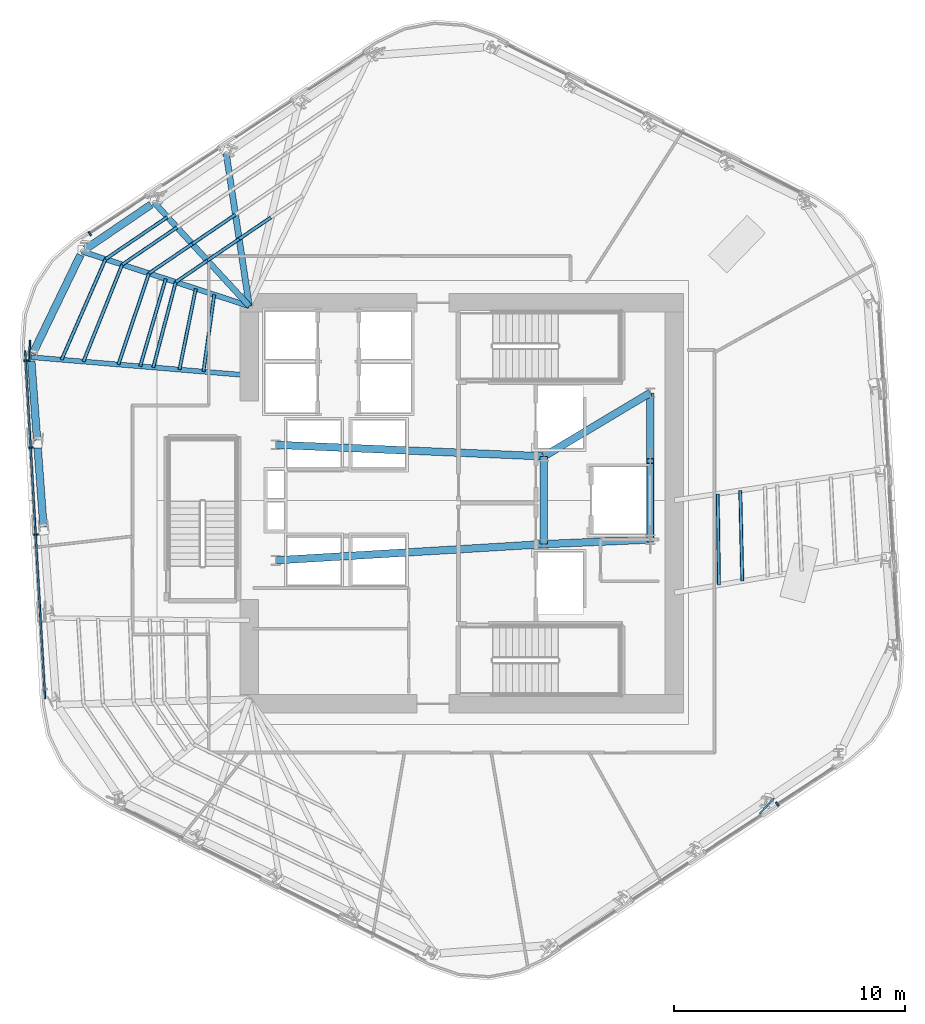
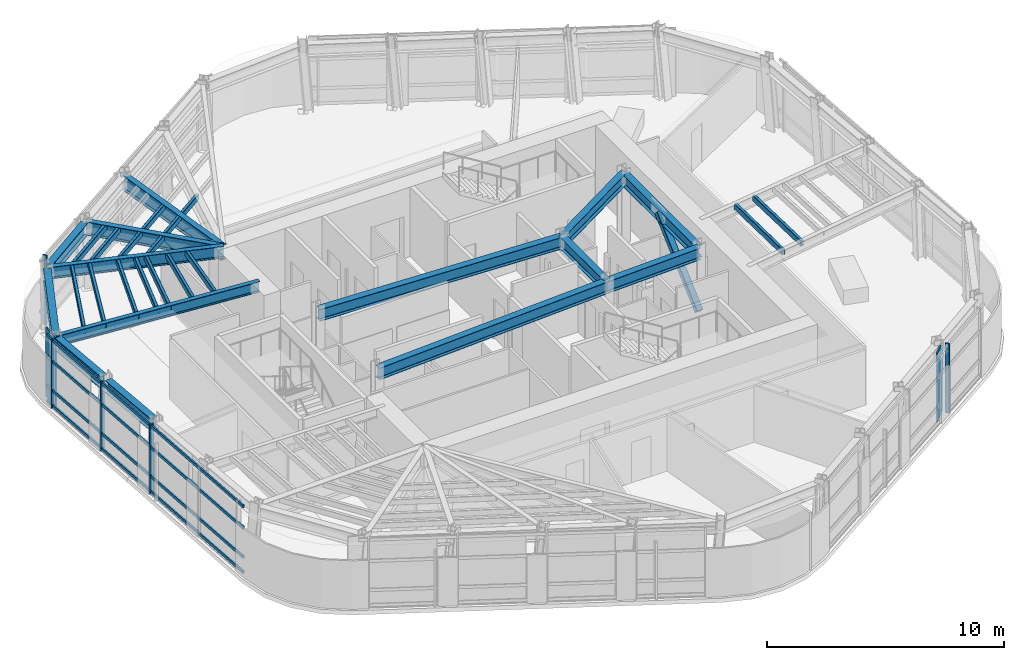
# One storey, part 4 of 15: 28 members, 14 beams, 3 elements without a shape of their own.
"""IFC4 building model written with IfcOpenShell, lengths in metres."""

from ifc_helpers import new_model, si_unit, direction, frame, origin, origin_2d, place, context, subcontext, project, spatial, rectangle, hollow_rectangle, i_section, extrude, material, layer, layer_set, material_profile, profile_set, type_object, element, aggregate, save


model = new_model("IFC4")

# Units and contexts
model_context = context("Model", 3, precision=1e-05, world=origin(), true_north=direction((0.0, 1.0)))
body_context = subcontext(model_context, "Body", "Model", "MODEL_VIEW")
ifc_project = project(units=[si_unit("LENGTHUNIT", "METRE"), si_unit("AREAUNIT", "SQUARE_METRE"), si_unit("VOLUMEUNIT", "CUBIC_METRE"), si_unit("PLANEANGLEUNIT", "RADIAN"), si_unit("MASSUNIT", "GRAM", prefix="KILO")], contexts=[model_context])

# Site, building, storey
site_placement = place(None, origin())
site = spatial("IfcSite", under=ifc_project, at=site_placement, CompositionType="ELEMENT")
building_placement = place(site_placement, origin())
building = spatial("IfcBuilding", under=site, at=building_placement, Name="Valkerne Bourse Tower", CompositionType="ELEMENT")
storey_placement = place(building_placement, frame((0.0, 0.0, 166.60009765625)))
storey = spatial("IfcBuildingStorey", under=building, at=storey_placement, Name="L42", CompositionType="ELEMENT", Elevation=166.60009765625)

# Beams
ifc_material_1 = material(Name="Steel ASTM A992", Category="steel")
ifc_material_profile_1 = material_profile(ifc_material_1, i_section(OverallWidth=0.2138671875, OverallDepth=0.548583984375, WebThickness=0.0146484375, FlangeThickness=0.023681640625, FilletRadius=0.017822265625, at=origin_2d()), Name="W21X93")
ifc_profile_set_1 = profile_set([ifc_material_profile_1], Name="Steel ASTM A992")
beam_type_1 = type_object("IfcBeamType", Name="BM-W21X93", PredefinedType="BEAM", material=ifc_profile_set_1)
beam_1_placement = place(storey_placement, frame((28.153076171875, 33.193115234375, 3.3056640625), z_axis=(0.996493524759, -0.083669917611, 0.0), x_axis=(0.083669917611, 0.996493524759, 0.0)))
element("IfcBeam", 1, at=beam_1_placement, inside=storey, type_object=beam_type_1, Name="L42 Radial Composite Floor Beam 10", PredefinedType="BEAM", context=body_context, shape_type="SweptSolid", body=[
    extrude(i_section(OverallWidth=0.2138671875, OverallDepth=0.548583984375, WebThickness=0.0146484375, FlangeThickness=0.023681640625, FilletRadius=0.017822265625, at=origin_2d()), origin(), (0.0, 0.0, 1.0), 9.480224609375),
])
ifc_material_profile_2 = material_profile(ifc_material_1, i_section(OverallWidth=0.3251953125, OverallDepth=0.612060546875, WebThickness=0.0126953125, FlangeThickness=0.01904296875, FilletRadius=0.020263671875, at=origin_2d()), Name="W24X104")
ifc_profile_set_2 = profile_set([ifc_material_profile_2], Name="Steel ASTM A992")
beam_type_2 = type_object("IfcBeamType", Name="BM-W24X104", PredefinedType="BEAM", material=ifc_profile_set_2)
beam_2_placement = place(storey_placement, frame((50.35009765625, 25.10009765625, 3.27392578125), z_axis=(0.0, 1.0, 0.0), x_axis=(-1.0, 0.0, 0.0)))
element("IfcBeam", 2, at=beam_2_placement, inside=storey, type_object=beam_type_2, Name="L42 Core Frame Girder CG-CE", PredefinedType="BEAM", context=body_context, shape_type="SweptSolid", body=[
    extrude(i_section(OverallWidth=0.3251953125, OverallDepth=0.612060546875, WebThickness=0.0126953125, FlangeThickness=0.01904296875, FilletRadius=0.020263671875, at=origin_2d()), origin(), (0.0, 0.0, 1.0), 3.7998046875),
])
beam_3_placement = place(storey_placement, frame((50.35009765625, 25.10009765625, 3.27392578125), z_axis=(0.999056558506, 0.043428019819, 0.0), x_axis=(-0.043428019819, 0.999056558506, 0.0)))
element("IfcBeam", 3, at=beam_3_placement, inside=storey, type_object=beam_type_2, Name="L42 Core Frame Girder CG-SE", PredefinedType="BEAM", context=body_context, shape_type="SweptSolid", body=[
    extrude(i_section(OverallWidth=0.3251953125, OverallDepth=0.612060546875, WebThickness=0.0126953125, FlangeThickness=0.01904296875, FilletRadius=0.020263671875, at=origin_2d()), origin(), (0.0, 0.0, 1.0), 4.604248046875),
])
beam_4_placement = place(storey_placement, frame((50.35009765625, 28.89990234375, 3.27392578125), z_axis=(0.858307823492, 0.513135148019, 0.0), x_axis=(-0.513135148019, 0.858307823492, 0.0)))
element("IfcBeam", 4, at=beam_4_placement, inside=storey, type_object=beam_type_2, Name="L42 Core Frame Girder CG-NE", PredefinedType="BEAM", context=body_context, shape_type="SweptSolid", body=[
    extrude(i_section(OverallWidth=0.3251953125, OverallDepth=0.612060546875, WebThickness=0.0126953125, FlangeThickness=0.01904296875, FilletRadius=0.020263671875, at=origin_2d()), origin(), (0.0, 0.0, 1.0), 5.359130859375),
])
beam_5_placement = place(storey_placement, frame((54.949951171875, 25.300048828125, 3.27392578125), z_axis=(0.0, 1.0, 0.0), x_axis=(-1.0, 0.0, 0.0)))
element("IfcBeam", 5, at=beam_5_placement, inside=storey, type_object=beam_type_2, Name="L42 Core Frame Girder CG-EE", PredefinedType="BEAM", context=body_context, shape_type="SweptSolid", body=[
    extrude(i_section(OverallWidth=0.3251953125, OverallDepth=0.612060546875, WebThickness=0.0126953125, FlangeThickness=0.01904296875, FilletRadius=0.020263671875, at=origin_2d()), origin(), (0.0, 0.0, 1.0), 6.349853515625),
])
beam_6_placement = place(storey_placement, frame((38.75, 24.39990234375, 3.27392578125), z_axis=(0.998183228389, 0.060251494276, 0.0), x_axis=(-0.060251494276, 0.998183228389, 0.0)))
element("IfcBeam", 6, at=beam_6_placement, inside=storey, type_object=beam_type_2, Name="L42 Core Frame Girder CG-SW", PredefinedType="BEAM", context=body_context, shape_type="SweptSolid", body=[
    extrude(i_section(OverallWidth=0.3251953125, OverallDepth=0.612060546875, WebThickness=0.0126953125, FlangeThickness=0.01904296875, FilletRadius=0.020263671875, at=origin_2d()), origin(), (0.0, 0.0, 1.0), 11.62109375),
])
beam_7_placement = place(storey_placement, frame((38.75, 29.39990234375, 3.27392578125), z_axis=(0.999072354402, -0.043063101019, 0.0), x_axis=(0.043063101019, 0.999072354402, 0.0)))
element("IfcBeam", 7, at=beam_7_placement, inside=storey, type_object=beam_type_2, Name="L42 Core Frame Girder CG-NW", PredefinedType="BEAM", context=body_context, shape_type="SweptSolid", body=[
    extrude(i_section(OverallWidth=0.3251953125, OverallDepth=0.612060546875, WebThickness=0.0126953125, FlangeThickness=0.01904296875, FilletRadius=0.020263671875, at=origin_2d()), origin(), (0.0, 0.0, 1.0), 11.61083984375),
])
ifc_material_profile_3 = material_profile(ifc_material_1, i_section(OverallWidth=0.32763671875, OverallDepth=0.62744140625, WebThickness=0.0166015625, FlangeThickness=0.027587890625, FilletRadius=0.020263671875, at=origin_2d()), Name="W24X146")
ifc_profile_set_3 = profile_set([ifc_material_profile_3], Name="Steel ASTM A992")
beam_type_3 = type_object("IfcBeamType", Name="BM-W24X146", PredefinedType="SPANDREL", material=ifc_profile_set_3)
beam_8_placement = place(storey_placement, frame((33.342529296875, 39.790771484375, 3.26611328125), z_axis=(-0.827102479964, -0.562051143258, 0.0), x_axis=(0.562051143258, -0.827102479964, 0.0)))
element("IfcBeam", 8, at=beam_8_placement, inside=storey, type_object=beam_type_3, Name="L42 Hexagonal Spandrel Ring Beam 08", PredefinedType="SPANDREL", context=body_context, shape_type="SweptSolid", body=[
    extrude(i_section(OverallWidth=0.32763671875, OverallDepth=0.62744140625, WebThickness=0.0166015625, FlangeThickness=0.027587890625, FilletRadius=0.020263671875, at=origin_2d()), origin(), (0.0, 0.0, 1.0), 3.43115234375),
])
beam_9_placement = place(storey_placement, frame((30.2900390625, 37.613525390625, 3.26611328125), z_axis=(-0.435244512137, -0.900312287295, 0.0), x_axis=(0.900312287295, -0.435244512137, 0.0)))
element("IfcBeam", 9, at=beam_9_placement, inside=storey, type_object=beam_type_3, Name="L42 Hexagonal Spandrel Ring Beam 09", PredefinedType="SPANDREL", context=body_context, shape_type="SweptSolid", body=[
    extrude(i_section(OverallWidth=0.32763671875, OverallDepth=0.62744140625, WebThickness=0.0166015625, FlangeThickness=0.027587890625, FilletRadius=0.020263671875, at=origin_2d()), origin(), (0.0, 0.0, 1.0), 4.73974609375),
])
for number, where, z_axis, x_axis, name in (
    (10, (28.16552734375, 33.0234375, 3.26611328125), (0.07321903857, -0.997315883956, 0.0), (0.997315883956, 0.07321903857, 0.0), "L42 Hexagonal Spandrel Ring Beam 10"),
    (11, (28.44189453125, 29.2626953125, 3.26611328125), (0.07321903857, -0.997315883956, 0.0), (0.997315883956, 0.07321903857, 0.0), "L42 Hexagonal Spandrel Ring Beam 11"),
):
    element("IfcBeam", number, at=place(storey_placement, frame(where, z_axis=z_axis, x_axis=x_axis)), inside=storey, type_object=beam_type_3, Name=name, PredefinedType="SPANDREL", context=body_context, shape_type="SweptSolid", body=[
        extrude(i_section(OverallWidth=0.32763671875, OverallDepth=0.62744140625, WebThickness=0.0166015625, FlangeThickness=0.027587890625, FilletRadius=0.020263671875, at=origin_2d()), origin(), (0.0, 0.0, 1.0), 3.43115234375),
    ])
ifc_material_profile_4 = material_profile(ifc_material_1, i_section(OverallWidth=0.228271484375, OverallDepth=0.607177734375, WebThickness=0.01123046875, FlangeThickness=0.017333984375, FilletRadius=0.017822265625, at=origin_2d()), Name="W24X76")
ifc_profile_set_4 = profile_set([ifc_material_profile_4], Name="Steel ASTM A992")
beam_type_4 = type_object("IfcBeamType", Name="BM-W24X76", PredefinedType="JOIST", material=ifc_profile_set_4)
beam_10_placement = place(storey_placement, frame((30.364013671875, 37.7666015625, 3.2763671875), z_axis=(0.950454334977, -0.310864210104, 0.0), x_axis=(0.310864210104, 0.950454334977, 0.0)))
element("IfcBeam", 12, at=beam_10_placement, inside=storey, type_object=beam_type_4, Name="L42 Radial Composite Floor Beam 09", PredefinedType="JOIST", context=body_context, shape_type="SweptSolid", body=[
    extrude(i_section(OverallWidth=0.228271484375, OverallDepth=0.607177734375, WebThickness=0.01123046875, FlangeThickness=0.017333984375, FilletRadius=0.017822265625, at=origin_2d()), origin(), (0.0, 0.0, 1.0), 7.61328125),
])
ifc_material_profile_5 = material_profile(ifc_material_1, i_section(OverallWidth=0.255859375, OverallDepth=0.693359375, WebThickness=0.014404296875, FlangeThickness=0.023681640625, FilletRadius=0.02294921875, at=origin_2d()), Name="W27X114")
ifc_profile_set_5 = profile_set([ifc_material_profile_5], Name="Steel ASTM A992")
beam_type_5 = type_object("IfcBeamType", Name="BM-W27X114", PredefinedType="BEAM", material=ifc_profile_set_5)
beam_11_placement = place(storey_placement, frame((33.483154296875, 39.88623046875, 3.233154296875), z_axis=(0.676123967467, -0.73678788034, 0.0), x_axis=(0.73678788034, 0.676123967467, 0.0)))
element("IfcBeam", 13, at=beam_11_placement, inside=storey, type_object=beam_type_5, Name="L42 Radial Composite Floor Beam 08", PredefinedType="BEAM", context=body_context, shape_type="SweptSolid", body=[
    extrude(i_section(OverallWidth=0.255859375, OverallDepth=0.693359375, WebThickness=0.014404296875, FlangeThickness=0.023681640625, FilletRadius=0.02294921875, at=origin_2d()), origin(), (0.0, 0.0, 1.0), 6.089111328125),
])
ifc_material_profile_6 = material_profile(ifc_material_1, i_section(OverallWidth=0.26806640625, OverallDepth=0.76953125, WebThickness=0.015625, FlangeThickness=0.025390625, FilletRadius=0.025390625, at=origin_2d()), Name="W30X132")
ifc_profile_set_6 = profile_set([ifc_material_profile_6], Name="Steel ASTM A992")
beam_type_6 = type_object("IfcBeamType", Name="BM-W30X132", PredefinedType="BEAM", material=ifc_profile_set_6)
beam_12_placement = place(storey_placement, frame((36.60205078125, 42.005859375, 3.195068359375), z_axis=(0.149387516946, -0.9887787264, 0.0), x_axis=(0.9887787264, 0.149387516946, 0.0)))
element("IfcBeam", 14, at=beam_12_placement, inside=storey, type_object=beam_type_6, Name="L42 Radial Composite Floor Beam 07", PredefinedType="BEAM", context=body_context, shape_type="SweptSolid", body=[
    extrude(i_section(OverallWidth=0.26806640625, OverallDepth=0.76953125, WebThickness=0.015625, FlangeThickness=0.025390625, FilletRadius=0.025390625, at=origin_2d()), origin(), (0.0, 0.0, 1.0), 6.680908203125),
])

# Curtain wall, member
ifc_material_2 = material(Name="Aluminium AA 6063-T6", Category="aluminium")
ifc_layer = layer(ifc_material_2, 0.235107421875)
ifc_layer_set = layer_set([ifc_layer], Name="Aluminium AA 6063-T6")
curtain_wall_type = type_object("IfcCurtainWallType", Name="CW-03", PredefinedType="NOTDEFINED", material=ifc_layer_set)
curtain_wall_1_placement = place(storey_placement, origin())
curtain_wall_1 = element("IfcCurtainWall", 15, at=curtain_wall_1_placement, inside=storey, type_object=curtain_wall_type, Name="L42 Hexagonal Stick Curtain Wall Face 2", PredefinedType="NOTDEFINED")
ifc_material_profile_7 = material_profile(ifc_material_2, rectangle(XDim=0.074951171875, YDim=0.199951171875, at=origin_2d()), Name="CWM-75X200")
ifc_profile_set_7 = profile_set([ifc_material_profile_7], Name="Aluminium AA 6063-T6")
member_type_1 = type_object("IfcMemberType", Name="CW-MUL-220X75", PredefinedType="MULLION", material=ifc_profile_set_7)
member_1_placement = place(storey_placement, frame((30.69970703125, 38.538330078125, 0.0), z_axis=(0.0, 0.0, 1.0), x_axis=(-0.835800745182, -0.549032890048, 0.0)))
member_1 = element("IfcMember", 16, at=member_1_placement, type_object=member_type_1, Name="CW-L42-F2 Jamb Mullion 03B", PredefinedType="MULLION", context=body_context, shape_type="SweptSolid", body=[
    extrude(rectangle(XDim=0.074951171875, YDim=0.199951171875, at=origin_2d()), origin(), (0.0, 0.0, 1.0), 3.579833984375),
])
aggregate(curtain_wall_1, [member_1])

# Curtain wall, members
curtain_wall_2_placement = place(storey_placement, origin())
curtain_wall_2 = element("IfcCurtainWall", 17, at=curtain_wall_2_placement, inside=storey, type_object=curtain_wall_type, Name="L42 Hexagonal Stick Curtain Wall Face 3", PredefinedType="NOTDEFINED")
member_2_placement = place(storey_placement, frame((27.9375, 33.046142578125, 0.0), z_axis=(0.0, 0.0, 1.0), x_axis=(0.057570105269, -0.998341466122, 0.0)))
member_2 = element("IfcMember", 18, at=member_2_placement, type_object=member_type_1, Name="CW-L42-F3 Jamb Mullion 00A", PredefinedType="MULLION", context=body_context, shape_type="SweptSolid", body=[
    extrude(rectangle(XDim=0.074951171875, YDim=0.199951171875, at=origin_2d()), origin(), (0.0, 0.0, 1.0), 3.579833984375),
])
member_3_placement = place(storey_placement, frame((28.154541015625, 29.281494140625, 0.0), z_axis=(0.0, 0.0, 1.0), x_axis=(0.057571629412, -0.99834137823, 0.0)))
member_3 = element("IfcMember", 19, at=member_3_placement, type_object=member_type_1, Name="CW-L42-F3 Jamb Mullion 01A", PredefinedType="MULLION", context=body_context, shape_type="SweptSolid", body=[
    extrude(rectangle(XDim=0.074951171875, YDim=0.199951171875, at=origin_2d()), origin(), (0.0, 0.0, 1.0), 3.579833984375),
])
member_4_placement = place(storey_placement, frame((28.37158203125, 25.5166015625, 0.0), z_axis=(0.0, 0.0, 1.0), x_axis=(0.057545198752, -0.998342902063, 0.0)))
member_4 = element("IfcMember", 20, at=member_4_placement, type_object=member_type_1, Name="CW-L42-F3 Jamb Mullion 02A", PredefinedType="MULLION", context=body_context, shape_type="SweptSolid", body=[
    extrude(rectangle(XDim=0.074951171875, YDim=0.199951171875, at=origin_2d()), origin(), (0.0, 0.0, 1.0), 3.579833984375),
])

# Curtain wall, member
curtain_wall_3_placement = place(storey_placement, origin())
curtain_wall_3 = element("IfcCurtainWall", 21, at=curtain_wall_3_placement, inside=storey, type_object=curtain_wall_type, Name="L42 Hexagonal Stick Curtain Wall Face 5", PredefinedType="NOTDEFINED")
member_5_placement = place(storey_placement, frame((60.45068359375, 13.8525390625, 0.0), z_axis=(0.0, 0.0, 1.0), x_axis=(0.835800745182, 0.549032890048, 0.0)))
member_5 = element("IfcMember", 22, at=member_5_placement, type_object=member_type_1, Name="CW-L42-F5 Jamb Mullion 03A", PredefinedType="MULLION", context=body_context, shape_type="SweptSolid", body=[
    extrude(rectangle(XDim=0.074951171875, YDim=0.199951171875, at=origin_2d()), origin(), (0.0, 0.0, 1.0), 3.579833984375),
])
aggregate(curtain_wall_3, [member_5])

# Member
ifc_material_profile_8 = material_profile(ifc_material_2, rectangle(XDim=0.074951171875, YDim=0.14990234375, at=origin_2d()), Name="CWT-75X150")
ifc_profile_set_8 = profile_set([ifc_material_profile_8], Name="Aluminium AA 6063-T6")
member_type_2 = type_object("IfcMemberType", Name="CW-TRN-180X65", PredefinedType="USERDEFINED", material=ifc_profile_set_8)
member_6_placement = place(storey_placement, frame((27.893310546875, 33.46435546875, 0.119873046875), z_axis=(0.057572027055, -0.998341355299, 0.0), x_axis=(0.998341355299, 0.057572027055, 0.0)))
member_6 = element("IfcMember", 23, at=member_6_placement, type_object=member_type_2, Name="CW-L42-F3 Continuous Face Transom 1", ObjectType="TRANSOM", PredefinedType="USERDEFINED", context=body_context, shape_type="SweptSolid", body=[
    extrude(rectangle(XDim=0.074951171875, YDim=0.14990234375, at=origin_2d()), origin(), (0.0, 0.0, 1.0), 15.083740234375),
])

member_7_placement = place(storey_placement, frame((27.893310546875, 33.46435546875, 0.89990234375), z_axis=(0.057572027055, -0.998341355299, 0.0), x_axis=(0.998341355299, 0.057572027055, 0.0)))
member_7 = element("IfcMember", 24, at=member_7_placement, type_object=member_type_2, Name="CW-L42-F3 Continuous Face Transom 2", ObjectType="TRANSOM", PredefinedType="USERDEFINED", context=body_context, shape_type="SweptSolid", body=[
    extrude(rectangle(XDim=0.074951171875, YDim=0.14990234375, at=origin_2d()), origin(), (0.0, 0.0, 1.0), 15.083740234375),
])

member_8_placement = place(storey_placement, frame((27.893310546875, 33.46435546875, 2.39990234375), z_axis=(0.057572027055, -0.998341355299, 0.0), x_axis=(0.998341355299, 0.057572027055, 0.0)))
member_8 = element("IfcMember", 25, at=member_8_placement, type_object=member_type_2, Name="CW-L42-F3 Continuous Face Transom 3", ObjectType="TRANSOM", PredefinedType="USERDEFINED", context=body_context, shape_type="SweptSolid", body=[
    extrude(rectangle(XDim=0.074951171875, YDim=0.14990234375, at=origin_2d()), origin(), (0.0, 0.0, 1.0), 15.083740234375),
])

member_9_placement = place(storey_placement, frame((27.893310546875, 33.46435546875, 3.5), z_axis=(0.057572027055, -0.998341355299, 0.0), x_axis=(0.998341355299, 0.057572027055, 0.0)))
member_9 = element("IfcMember", 26, at=member_9_placement, type_object=member_type_2, Name="CW-L42-F3 Continuous Face Transom 4", ObjectType="TRANSOM", PredefinedType="USERDEFINED", context=body_context, shape_type="SweptSolid", body=[
    extrude(rectangle(XDim=0.074951171875, YDim=0.14990234375, at=origin_2d()), origin(), (0.0, 0.0, 1.0), 15.083740234375),
])

aggregate(curtain_wall_2, [member_6, member_7, member_8, member_9, member_2, member_3, member_4])

# Members
ifc_material_3 = material(Name="Bronze Anodised Aluminium AA 6063-T6", Category="aluminium")
ifc_material_profile_9 = material_profile(ifc_material_3, rectangle(XDim=0.070068359375, YDim=0.89990234375, at=origin_2d()), Name="FIN-70X900")
ifc_profile_set_9 = profile_set([ifc_material_profile_9], Name="Bronze Anodised Aluminium AA 6063-T6")
member_type_3 = type_object("IfcMemberType", Name="FIN-SOLAR-900", PredefinedType="USERDEFINED", material=ifc_profile_set_9)
for number, where, z_axis, x_axis, name in (
    (27, (28.093017578125, 33.475830078125, 0.00390625), (0.0, 0.0, 1.0), (-0.999175484483, 0.040599891717, 0.0), "L42 Bronze Anodised Solar Fin F3-00"),
    (28, (60.000732421875, 13.7724609375, 0.00390625), (0.0, 0.0, 1.0), (0.733921057329, -0.679234776502, 0.0), "L42 Bronze Anodised Solar Fin F5-03"),
):
    element("IfcMember", number, at=place(storey_placement, frame(where, z_axis=z_axis, x_axis=x_axis)), inside=storey, type_object=member_type_3, Name=name, ObjectType="SOLAR_FIN", PredefinedType="USERDEFINED", context=body_context, shape_type="SweptSolid", body=[
        extrude(rectangle(XDim=0.070068359375, YDim=0.89990234375, at=origin_2d()), origin(), (0.0, 0.0, 1.0), 3.572021484375),
    ])
ifc_material_4 = material(Name="Steel ASTM A500 Grade C", Category="steel")
ifc_material_profile_10 = material_profile(ifc_material_4, hollow_rectangle(XDim=0.14990234375, YDim=0.300048828125, WallThickness=0.012451171875, OuterFilletRadius=0.02490234375, at=origin_2d()), Name="HSS300X150X12.5")
ifc_profile_set_10 = profile_set([ifc_material_profile_10], Name="Steel ASTM A500 Grade C")
member_type_4 = type_object("IfcMemberType", Name="MBR-HSS300X150X12.5", PredefinedType="PURLIN", material=ifc_profile_set_10)
member_10_placement = place(storey_placement, frame((35.284423828125, 36.1572265625, 3.419921875), z_axis=(-0.197954835526, -0.980211142097, 0.0), x_axis=(0.980211142097, -0.197954835526, 0.0)))
element("IfcMember", 29, at=member_10_placement, inside=storey, type_object=member_type_4, Name="L42 Secondary Composite Floor Purlin I-09", PredefinedType="PURLIN", context=body_context, shape_type="SweptSolid", body=[
    extrude(hollow_rectangle(XDim=0.14990234375, YDim=0.300048828125, WallThickness=0.012451171875, OuterFilletRadius=0.02490234375, at=origin_2d()), origin(), (0.0, 0.0, 1.0), 3.57421875),
])
member_11_placement = place(storey_placement, frame((58.9345703125, 23.501708984375, 3.419921875), z_axis=(-0.022519332934, 0.999746407668, 0.0), x_axis=(-0.999746407668, -0.022519332934, 0.0)))
element("IfcMember", 30, at=member_11_placement, inside=storey, type_object=member_type_4, Name="L42 Secondary Composite Floor Purlin I-26", PredefinedType="PURLIN", context=body_context, shape_type="SweptSolid", body=[
    extrude(hollow_rectangle(XDim=0.14990234375, YDim=0.300048828125, WallThickness=0.012451171875, OuterFilletRadius=0.02490234375, at=origin_2d()), origin(), (0.0, 0.0, 1.0), 3.924560546875),
])
for number, where, z_axis, x_axis, name in (
    (31, (38.533203125, 39.2392578125, 3.419921875), (-0.827082466014, -0.562080594231, 0.0), (0.562080594231, -0.827082466014, 0.0), "L42 Secondary Composite Floor Purlin K-06"),
    (32, (37.160888671875, 38.306640625, 3.419921875), (-0.827082466014, -0.562080594231, 0.0), (0.562080594231, -0.827082466014, 0.0), "L42 Secondary Composite Floor Purlin K-07"),
    (33, (35.78857421875, 37.3740234375, 3.419921875), (-0.827082466014, -0.562080594231, 0.0), (0.562080594231, -0.827082466014, 0.0), "L42 Secondary Composite Floor Purlin K-08"),
):
    element("IfcMember", number, at=place(storey_placement, frame(where, z_axis=z_axis, x_axis=x_axis)), inside=storey, type_object=member_type_4, Name=name, PredefinedType="PURLIN", context=body_context, shape_type="SweptSolid", body=[
        extrude(hollow_rectangle(XDim=0.14990234375, YDim=0.300048828125, WallThickness=0.012451171875, OuterFilletRadius=0.02490234375, at=origin_2d()), origin(), (0.0, 0.0, 1.0), 1.6591796875),
    ])
member_12_placement = place(storey_placement, frame((34.416259765625, 36.44140625, 3.419921875), z_axis=(-0.254776518774, -0.966999961469, 0.0), x_axis=(0.966999961469, -0.254776518774, 0.0)))
element("IfcMember", 34, at=member_12_placement, inside=storey, type_object=member_type_4, Name="L42 Secondary Composite Floor Purlin K-09", PredefinedType="PURLIN", context=body_context, shape_type="SweptSolid", body=[
    extrude(hollow_rectangle(XDim=0.14990234375, YDim=0.300048828125, WallThickness=0.012451171875, OuterFilletRadius=0.02490234375, at=origin_2d()), origin(), (0.0, 0.0, 1.0), 3.818603515625),
])
member_13_placement = place(storey_placement, frame((33.982177734375, 36.583251953125, 3.419921875), z_axis=(-0.280225757178, -0.959934125351, 0.0), x_axis=(0.959934125351, -0.280225757178, 0.0)))
element("IfcMember", 35, at=member_13_placement, inside=storey, type_object=member_type_4, Name="L42 Secondary Composite Floor Purlin M-09", PredefinedType="PURLIN", context=body_context, shape_type="SweptSolid", body=[
    extrude(hollow_rectangle(XDim=0.14990234375, YDim=0.300048828125, WallThickness=0.012451171875, OuterFilletRadius=0.02490234375, at=origin_2d()), origin(), (0.0, 0.0, 1.0), 3.94482421875),
])
member_14_placement = place(storey_placement, frame((34.47119140625, 38.8095703125, 3.419921875), z_axis=(-0.827116576406, -0.562030398674, 0.0), x_axis=(0.562030398674, -0.827116576406, 0.0)))
element("IfcMember", 36, at=member_14_placement, inside=storey, type_object=member_type_4, Name="L42 Secondary Composite Floor Purlin O-08", PredefinedType="PURLIN", context=body_context, shape_type="SweptSolid", body=[
    extrude(hollow_rectangle(XDim=0.14990234375, YDim=0.300048828125, WallThickness=0.012451171875, OuterFilletRadius=0.02490234375, at=origin_2d()), origin(), (0.0, 0.0, 1.0), 2.8662109375),
])
member_15_placement = place(storey_placement, frame((32.1005859375, 37.19873046875, 3.419921875), z_axis=(-0.371725912864, -0.928342526067, 0.0), x_axis=(0.928342526067, -0.371725912864, 0.0)))
element("IfcMember", 37, at=member_15_placement, inside=storey, type_object=member_type_4, Name="L42 Secondary Composite Floor Purlin O-09", PredefinedType="PURLIN", context=body_context, shape_type="SweptSolid", body=[
    extrude(hollow_rectangle(XDim=0.14990234375, YDim=0.300048828125, WallThickness=0.012451171875, OuterFilletRadius=0.02490234375, at=origin_2d()), origin(), (0.0, 0.0, 1.0), 4.52001953125),
])
for number, where, z_axis, x_axis, name in (
    (38, (37.001220703125, 39.363525390625, 3.419921875), (-0.827087026291, -0.562073883881, 0.0), (0.562073883881, -0.827087026291, 0.0), "L42 Secondary Composite Floor Purlin Z-07"),
    (39, (35.1298828125, 38.091796875, 3.419921875), (-0.827087026291, -0.562073883881, 0.0), (0.562073883881, -0.827087026291, 0.0), "L42 Secondary Composite Floor Purlin Z-08"),
):
    element("IfcMember", number, at=place(storey_placement, frame(where, z_axis=z_axis, x_axis=x_axis)), inside=storey, type_object=member_type_4, Name=name, PredefinedType="PURLIN", context=body_context, shape_type="SweptSolid", body=[
        extrude(hollow_rectangle(XDim=0.14990234375, YDim=0.300048828125, WallThickness=0.012451171875, OuterFilletRadius=0.02490234375, at=origin_2d()), origin(), (0.0, 0.0, 1.0), 2.262451171875),
    ])
member_16_placement = place(storey_placement, frame((33.258544921875, 36.820068359375, 3.419921875), z_axis=(-0.31879621851, -0.947823280503, 0.0), x_axis=(0.947823280503, -0.31879621851, 0.0)))
element("IfcMember", 40, at=member_16_placement, inside=storey, type_object=member_type_4, Name="L42 Secondary Composite Floor Purlin Z-09", PredefinedType="PURLIN", context=body_context, shape_type="SweptSolid", body=[
    extrude(hollow_rectangle(XDim=0.14990234375, YDim=0.300048828125, WallThickness=0.012451171875, OuterFilletRadius=0.02490234375, at=origin_2d()), origin(), (0.0, 0.0, 1.0), 4.161376953125),
])
member_17_placement = place(storey_placement, frame((36.08056640625, 35.89697265625, 3.419921875), z_axis=(-0.138086725459, -0.990420141279, 0.0), x_axis=(0.990420141279, -0.138086725459, 0.0)))
element("IfcMember", 41, at=member_17_placement, inside=storey, type_object=member_type_4, Name="L42 Secondary Composite Floor Purlin S-09", PredefinedType="PURLIN", context=body_context, shape_type="SweptSolid", body=[
    extrude(hollow_rectangle(XDim=0.14990234375, YDim=0.300048828125, WallThickness=0.012451171875, OuterFilletRadius=0.02490234375, at=origin_2d()), origin(), (0.0, 0.0, 1.0), 3.36279296875),
])
member_18_placement = place(storey_placement, frame((57.92578125, 23.329345703125, 3.419921875), z_axis=(-0.014647952341, 0.999892712991, 0.0), x_axis=(-0.999892712991, -0.014647952341, 0.0)))
element("IfcMember", 42, at=member_18_placement, inside=storey, type_object=member_type_4, Name="L42 Secondary Composite Floor Purlin S-26", PredefinedType="PURLIN", context=body_context, shape_type="SweptSolid", body=[
    extrude(hollow_rectangle(XDim=0.14990234375, YDim=0.300048828125, WallThickness=0.012451171875, OuterFilletRadius=0.02490234375, at=origin_2d()), origin(), (0.0, 0.0, 1.0), 3.9501953125),
])
member_19_placement = place(storey_placement, frame((34.0595703125, 39.25830078125, 3.419921875), z_axis=(-0.827072087396, -0.562095865712, 0.0), x_axis=(0.562095865712, -0.827072087396, 0.0)))
element("IfcMember", 43, at=member_19_placement, inside=storey, type_object=member_type_4, Name="L42 Secondary Composite Floor Purlin T-08", PredefinedType="PURLIN", context=body_context, shape_type="SweptSolid", body=[
    extrude(hollow_rectangle(XDim=0.14990234375, YDim=0.300048828125, WallThickness=0.012451171875, OuterFilletRadius=0.02490234375, at=origin_2d()), origin(), (0.0, 0.0, 1.0), 3.2431640625),
])
member_20_placement = place(storey_placement, frame((31.377197265625, 37.435302734375, 3.419921875), z_axis=(-0.400298438442, -0.916384831924, 0.0), x_axis=(0.916384831924, -0.400298438442, 0.0)))
element("IfcMember", 44, at=member_20_placement, inside=storey, type_object=member_type_4, Name="L42 Secondary Composite Floor Purlin T-09", PredefinedType="PURLIN", context=body_context, shape_type="SweptSolid", body=[
    extrude(hollow_rectangle(XDim=0.14990234375, YDim=0.300048828125, WallThickness=0.012451171875, OuterFilletRadius=0.02490234375, at=origin_2d()), origin(), (0.0, 0.0, 1.0), 4.75048828125),
])
ifc_material_profile_11 = material_profile(ifc_material_4, hollow_rectangle(XDim=0.300048828125, YDim=0.300048828125, WallThickness=0.012451171875, OuterFilletRadius=0.02490234375, at=origin_2d()), Name="HSS300X300X12.5")
ifc_profile_set_11 = profile_set([ifc_material_profile_11], Name="Steel ASTM A500 Grade C")
member_type_5 = type_object("IfcMemberType", Name="MBR-HSS300X300X12.5", PredefinedType="STRUT", material=ifc_profile_set_11)
member_21_placement = place(storey_placement, frame((54.949951171875, 25.300048828125, 0.219970703125), z_axis=(0.0, 0.743941933778, 0.668244266094), x_axis=(-1.0, 0.0, 0.0)))
element("IfcMember", 45, at=member_21_placement, inside=storey, type_object=member_type_5, Name="L42 Core Service Pier Lateral Brace", PredefinedType="STRUT", context=body_context, shape_type="SweptSolid", body=[
    extrude(hollow_rectangle(XDim=0.300048828125, YDim=0.300048828125, WallThickness=0.012451171875, OuterFilletRadius=0.02490234375, at=origin_2d()), origin(), (0.0, 0.0, 1.0), 4.570068359375),
])

save(model, "model.ifc")
